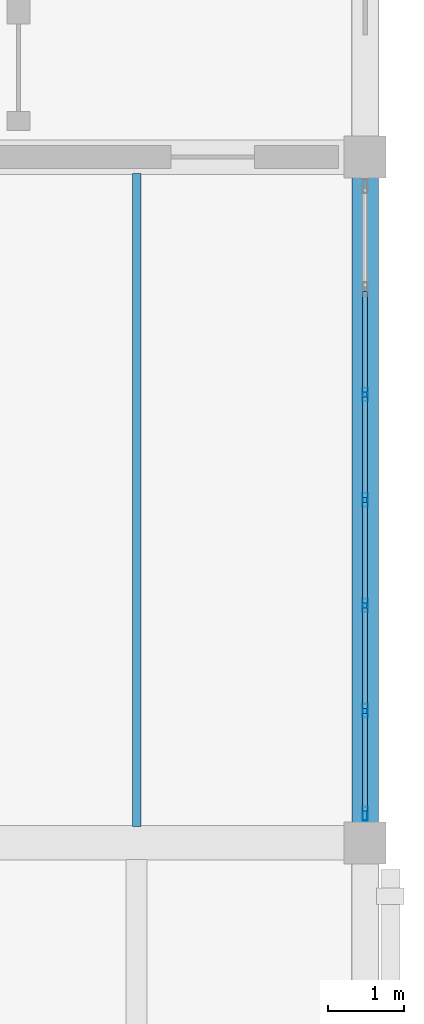
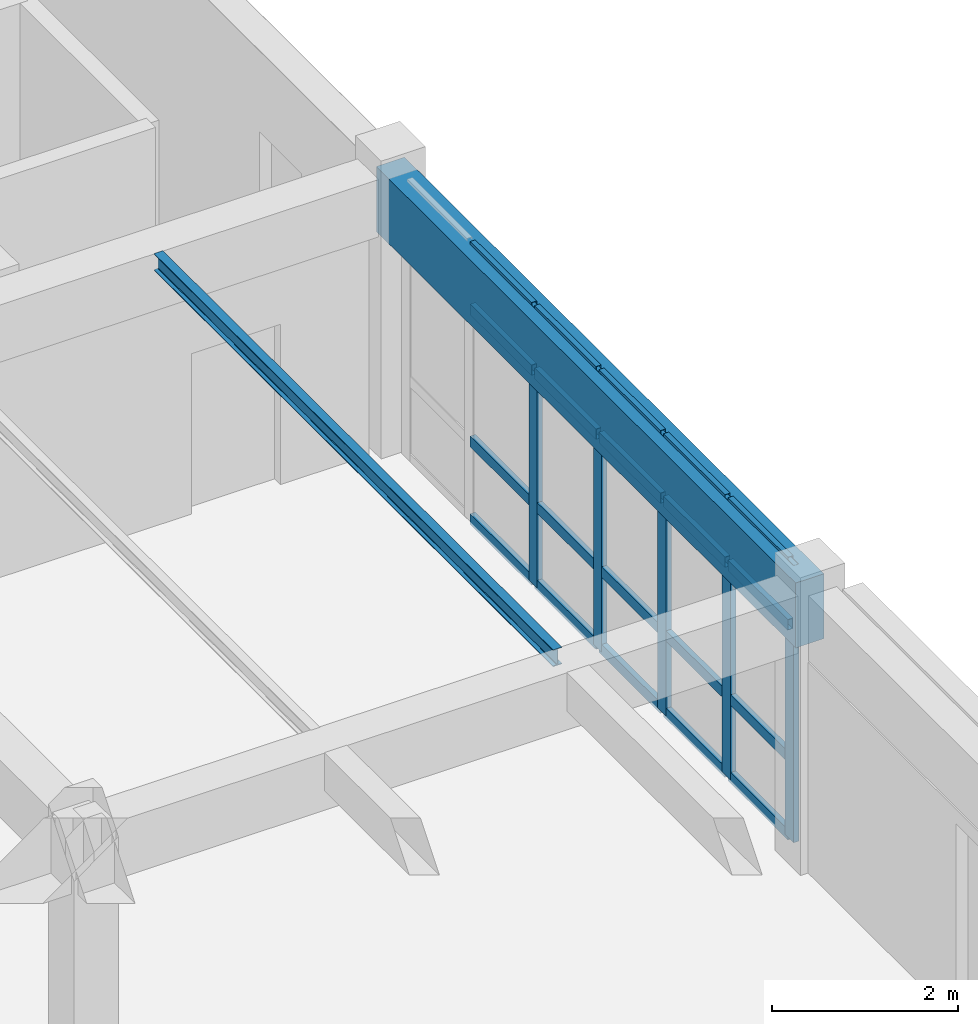
# One storey, part 97 of 156: 25 members, 2 beams, 1 element without a shape of its own.
"""IFC4 building model written with IfcOpenShell, lengths in metres."""

from ifc_helpers import new_model, si_unit, direction, frame, origin, origin_2d, place, context, subcontext, project, spatial, rectangle, hollow_rectangle, i_section, extrude, material, layer, layer_set, material_profile, profile_set, type_object, element, aggregate, save


model = new_model("IFC4")

# Units and contexts
model_context = context("Model", 3, precision=1e-05, world=origin(), true_north=direction((0.0, 1.0)))
body_context = subcontext(model_context, "Body", "Model", "MODEL_VIEW")
ifc_project = project(units=[si_unit("LENGTHUNIT", "METRE"), si_unit("AREAUNIT", "SQUARE_METRE"), si_unit("VOLUMEUNIT", "CUBIC_METRE"), si_unit("PLANEANGLEUNIT", "RADIAN"), si_unit("MASSUNIT", "GRAM", prefix="KILO")], contexts=[model_context])

# Site, building, storey
site_placement = place(None, origin())
site = spatial("IfcSite", under=ifc_project, at=site_placement, CompositionType="ELEMENT")
building_placement = place(site_placement, origin())
building = spatial("IfcBuilding", under=site, at=building_placement, Name="Ornek Quay Market", CompositionType="ELEMENT")
storey_placement = place(building_placement, frame((0.0, 0.0, 4.5)))
storey = spatial("IfcBuildingStorey", under=building, at=storey_placement, Name="L01", CompositionType="ELEMENT", Elevation=4.5)

# Beams
ifc_material_1 = material(Name="Concrete C40/50", Category="concrete")
ifc_material_profile_1 = material_profile(ifc_material_1, rectangle(XDim=0.35009765625, YDim=0.85009765625, at=origin_2d()), Name="RC 350x850", Category="concrete")
ifc_profile_set_1 = profile_set([ifc_material_profile_1], Name="Concrete C40/50")
beam_type_1 = type_object("IfcBeamType", Name="BM-SPN-350x850", PredefinedType="SPANDREL", material=ifc_profile_set_1)
beam_1_placement = place(storey_placement, frame((180.0, 83.0, 3.205078125), z_axis=(0.0, 1.0, 0.0), x_axis=(-1.0, 0.0, 0.0)))
element("IfcBeam", 1, at=beam_1_placement, inside=storey, type_object=beam_type_1, Name="Primary beam B-SP1-114", PredefinedType="SPANDREL", context=body_context, shape_type="SweptSolid", body=[
    extrude(rectangle(XDim=0.35009765625, YDim=0.85009765625, at=origin_2d()), origin(), (0.0, 0.0, 1.0), 9.0),
])
ifc_material_2 = material(Name="Steel S355", Category="steel")
ifc_material_profile_2 = material_profile(ifc_material_2, i_section(OverallWidth=0.110107421875, OverallDepth=0.219970703125, WebThickness=0.005859375, FlangeThickness=0.00927734375, FilletRadius=0.011962890625, at=origin_2d()), Name="IPE 220", Category="steel")
ifc_profile_set_2 = profile_set([ifc_material_profile_2], Name="Steel S355")
beam_type_2 = type_object("IfcBeamType", Name="BM-STL-IPE220", PredefinedType="JOIST", material=ifc_profile_set_2)
beam_2_placement = place(storey_placement, frame((177.0, 83.217041015625, 3.52001953125), z_axis=(0.0, 1.0, 0.0), x_axis=(-1.0, 0.0, 0.0)))
element("IfcBeam", 2, at=beam_2_placement, inside=storey, type_object=beam_type_2, Name="Secondary joist SB-03-039", PredefinedType="JOIST", context=body_context, shape_type="SweptSolid", body=[
    extrude(i_section(OverallWidth=0.110107421875, OverallDepth=0.219970703125, WebThickness=0.005859375, FlangeThickness=0.00927734375, FilletRadius=0.011962890625, at=origin_2d()), origin(), (0.0, 0.0, 1.0), 8.56591796875),
])

# Curtain wall, members
ifc_material_3 = material(Name="Anodised bronze aluminium and triple low-e glass", Category="aluminium")
ifc_layer = layer(ifc_material_3, 0.18994140625, Name="Anodised bronze aluminium and triple low-e glass", Category="aluminium")
ifc_layer_set = layer_set([ifc_layer], Name="Anodised bronze aluminium and triple low-e glass")
curtain_wall_type = type_object("IfcCurtainWallType", Name="CW-FC-MOD1500", PredefinedType="USERDEFINED", material=ifc_layer_set)
curtain_wall_placement = place(storey_placement, origin())
curtain_wall = element("IfcCurtainWall", 3, at=curtain_wall_placement, inside=storey, type_object=curtain_wall_type, Name="Curtain wall CW-086", ObjectType="CURTAIN WALL", PredefinedType="USERDEFINED")
ifc_material_4 = material(Name="Anodised aluminium 6063-T6", Category="aluminium")
ifc_material_profile_3 = material_profile(ifc_material_4, hollow_rectangle(XDim=0.06494140625, YDim=0.179931640625, WallThickness=0.00439453125, at=origin_2d()), Name="CW-MUL-65x180", Category="aluminium")
ifc_profile_set_3 = profile_set([ifc_material_profile_3], Name="Anodised aluminium 6063-T6")
member_type_1 = type_object("IfcMemberType", Name="CW-MUL-65x180", PredefinedType="MULLION", material=ifc_profile_set_3)
member_1_placement = place(storey_placement, frame((180.0, 83.382568359375, 0.0), z_axis=(0.0, 0.0, 1.0), x_axis=(-1.0, 0.0, 0.0)))
member_1 = element("IfcMember", 4, at=member_1_placement, type_object=member_type_1, Name="CW-086 mullion 1", PredefinedType="MULLION", context=body_context, shape_type="SweptSolid", body=[
    extrude(hollow_rectangle(XDim=0.06494140625, YDim=0.179931640625, WallThickness=0.00439453125, at=origin_2d()), origin(), (0.0, 0.0, 1.0), 3.6298828125),
])
member_2_placement = place(storey_placement, frame((180.0, 84.7333984375, 0.0), z_axis=(0.0, 0.0, 1.0), x_axis=(-1.0, 0.0, 0.0)))
member_2 = element("IfcMember", 5, at=member_2_placement, type_object=member_type_1, Name="CW-086 mullion 2", PredefinedType="MULLION", context=body_context, shape_type="SweptSolid", body=[
    extrude(hollow_rectangle(XDim=0.06494140625, YDim=0.179931640625, WallThickness=0.00439453125, at=origin_2d()), origin(), (0.0, 0.0, 1.0), 3.6298828125),
])
member_3_placement = place(storey_placement, frame((180.0, 86.11669921875, 0.0), z_axis=(0.0, 0.0, 1.0), x_axis=(-1.0, 0.0, 0.0)))
member_3 = element("IfcMember", 6, at=member_3_placement, type_object=member_type_1, Name="CW-086 mullion 3", PredefinedType="MULLION", context=body_context, shape_type="SweptSolid", body=[
    extrude(hollow_rectangle(XDim=0.06494140625, YDim=0.179931640625, WallThickness=0.00439453125, at=origin_2d()), origin(), (0.0, 0.0, 1.0), 3.6298828125),
])
member_4_placement = place(storey_placement, frame((180.0, 87.5, 0.0), z_axis=(0.0, 0.0, 1.0), x_axis=(-1.0, 0.0, 0.0)))
member_4 = element("IfcMember", 7, at=member_4_placement, type_object=member_type_1, Name="CW-086 mullion 4", PredefinedType="MULLION", context=body_context, shape_type="SweptSolid", body=[
    extrude(hollow_rectangle(XDim=0.06494140625, YDim=0.179931640625, WallThickness=0.00439453125, at=origin_2d()), origin(), (0.0, 0.0, 1.0), 3.6298828125),
])
member_5_placement = place(storey_placement, frame((180.0, 88.88330078125, 0.0), z_axis=(0.0, 0.0, 1.0), x_axis=(-1.0, 0.0, 0.0)))
member_5 = element("IfcMember", 8, at=member_5_placement, type_object=member_type_1, Name="CW-086 mullion 5", PredefinedType="MULLION", context=body_context, shape_type="SweptSolid", body=[
    extrude(hollow_rectangle(XDim=0.06494140625, YDim=0.179931640625, WallThickness=0.00439453125, at=origin_2d()), origin(), (0.0, 0.0, 1.0), 3.6298828125),
])
ifc_material_profile_4 = material_profile(ifc_material_4, hollow_rectangle(XDim=0.06494140625, YDim=0.139892578125, WallThickness=0.00439453125, at=origin_2d()), Name="CW-TRN-65x140", Category="aluminium")
ifc_profile_set_4 = profile_set([ifc_material_profile_4], Name="Anodised aluminium 6063-T6")
member_type_2 = type_object("IfcMemberType", Name="CW-TRN-65x140", PredefinedType="USERDEFINED", material=ifc_profile_set_4)
member_6_placement = place(storey_placement, frame((180.0, 83.4150390625, 0.032470703125), z_axis=(0.0, 1.0, 0.0), x_axis=(-1.0, 0.0, 0.0)))
member_6 = element("IfcMember", 9, at=member_6_placement, type_object=member_type_2, Name="CW-086 transom 1.1", ObjectType="TRANSOM", PredefinedType="USERDEFINED", context=body_context, shape_type="SweptSolid", body=[
    extrude(hollow_rectangle(XDim=0.06494140625, YDim=0.139892578125, WallThickness=0.00439453125, at=origin_2d()), origin(), (0.0, 0.0, 1.0), 1.285888671875),
])
member_7_placement = place(storey_placement, frame((180.0, 83.4150390625, 1.050048828125), z_axis=(0.0, 1.0, 0.0), x_axis=(-1.0, 0.0, 0.0)))
member_7 = element("IfcMember", 10, at=member_7_placement, type_object=member_type_2, Name="CW-086 transom 1.2", ObjectType="TRANSOM", PredefinedType="USERDEFINED", context=body_context, shape_type="SweptSolid", body=[
    extrude(hollow_rectangle(XDim=0.06494140625, YDim=0.139892578125, WallThickness=0.00439453125, at=origin_2d()), origin(), (0.0, 0.0, 1.0), 1.285888671875),
])
member_8_placement = place(storey_placement, frame((180.0, 83.4150390625, 2.780029296875), z_axis=(0.0, 1.0, 0.0), x_axis=(-1.0, 0.0, 0.0)))
member_8 = element("IfcMember", 11, at=member_8_placement, type_object=member_type_2, Name="CW-086 transom 1.3", ObjectType="TRANSOM", PredefinedType="USERDEFINED", context=body_context, shape_type="SweptSolid", body=[
    extrude(hollow_rectangle(XDim=0.06494140625, YDim=0.139892578125, WallThickness=0.00439453125, at=origin_2d()), origin(), (0.0, 0.0, 1.0), 1.285888671875),
])
member_9_placement = place(storey_placement, frame((180.0, 83.4150390625, 3.597412109375), z_axis=(0.0, 1.0, 0.0), x_axis=(-1.0, 0.0, 0.0)))
member_9 = element("IfcMember", 12, at=member_9_placement, type_object=member_type_2, Name="CW-086 transom 1.4", ObjectType="TRANSOM", PredefinedType="USERDEFINED", context=body_context, shape_type="SweptSolid", body=[
    extrude(hollow_rectangle(XDim=0.06494140625, YDim=0.139892578125, WallThickness=0.00439453125, at=origin_2d()), origin(), (0.0, 0.0, 1.0), 1.285888671875),
])
member_10_placement = place(storey_placement, frame((180.0, 84.765869140625, 0.032470703125), z_axis=(0.0, 1.0, 0.0), x_axis=(-1.0, 0.0, 0.0)))
member_10 = element("IfcMember", 13, at=member_10_placement, type_object=member_type_2, Name="CW-086 transom 2.1", ObjectType="TRANSOM", PredefinedType="USERDEFINED", context=body_context, shape_type="SweptSolid", body=[
    extrude(hollow_rectangle(XDim=0.06494140625, YDim=0.139892578125, WallThickness=0.00439453125, at=origin_2d()), origin(), (0.0, 0.0, 1.0), 1.318359375),
])
member_11_placement = place(storey_placement, frame((180.0, 84.765869140625, 1.050048828125), z_axis=(0.0, 1.0, 0.0), x_axis=(-1.0, 0.0, 0.0)))
member_11 = element("IfcMember", 14, at=member_11_placement, type_object=member_type_2, Name="CW-086 transom 2.2", ObjectType="TRANSOM", PredefinedType="USERDEFINED", context=body_context, shape_type="SweptSolid", body=[
    extrude(hollow_rectangle(XDim=0.06494140625, YDim=0.139892578125, WallThickness=0.00439453125, at=origin_2d()), origin(), (0.0, 0.0, 1.0), 1.318359375),
])
member_12_placement = place(storey_placement, frame((180.0, 84.765869140625, 2.780029296875), z_axis=(0.0, 1.0, 0.0), x_axis=(-1.0, 0.0, 0.0)))
member_12 = element("IfcMember", 15, at=member_12_placement, type_object=member_type_2, Name="CW-086 transom 2.3", ObjectType="TRANSOM", PredefinedType="USERDEFINED", context=body_context, shape_type="SweptSolid", body=[
    extrude(hollow_rectangle(XDim=0.06494140625, YDim=0.139892578125, WallThickness=0.00439453125, at=origin_2d()), origin(), (0.0, 0.0, 1.0), 1.318359375),
])
member_13_placement = place(storey_placement, frame((180.0, 84.765869140625, 3.597412109375), z_axis=(0.0, 1.0, 0.0), x_axis=(-1.0, 0.0, 0.0)))
member_13 = element("IfcMember", 16, at=member_13_placement, type_object=member_type_2, Name="CW-086 transom 2.4", ObjectType="TRANSOM", PredefinedType="USERDEFINED", context=body_context, shape_type="SweptSolid", body=[
    extrude(hollow_rectangle(XDim=0.06494140625, YDim=0.139892578125, WallThickness=0.00439453125, at=origin_2d()), origin(), (0.0, 0.0, 1.0), 1.318359375),
])
member_14_placement = place(storey_placement, frame((180.0, 86.149169921875, 0.032470703125), z_axis=(0.0, 1.0, 0.0), x_axis=(-1.0, 0.0, 0.0)))
member_14 = element("IfcMember", 17, at=member_14_placement, type_object=member_type_2, Name="CW-086 transom 3.1", ObjectType="TRANSOM", PredefinedType="USERDEFINED", context=body_context, shape_type="SweptSolid", body=[
    extrude(hollow_rectangle(XDim=0.06494140625, YDim=0.139892578125, WallThickness=0.00439453125, at=origin_2d()), origin(), (0.0, 0.0, 1.0), 1.318359375),
])
member_15_placement = place(storey_placement, frame((180.0, 86.149169921875, 1.050048828125), z_axis=(0.0, 1.0, 0.0), x_axis=(-1.0, 0.0, 0.0)))
member_15 = element("IfcMember", 18, at=member_15_placement, type_object=member_type_2, Name="CW-086 transom 3.2", ObjectType="TRANSOM", PredefinedType="USERDEFINED", context=body_context, shape_type="SweptSolid", body=[
    extrude(hollow_rectangle(XDim=0.06494140625, YDim=0.139892578125, WallThickness=0.00439453125, at=origin_2d()), origin(), (0.0, 0.0, 1.0), 1.318359375),
])
member_16_placement = place(storey_placement, frame((180.0, 86.149169921875, 2.780029296875), z_axis=(0.0, 1.0, 0.0), x_axis=(-1.0, 0.0, 0.0)))
member_16 = element("IfcMember", 19, at=member_16_placement, type_object=member_type_2, Name="CW-086 transom 3.3", ObjectType="TRANSOM", PredefinedType="USERDEFINED", context=body_context, shape_type="SweptSolid", body=[
    extrude(hollow_rectangle(XDim=0.06494140625, YDim=0.139892578125, WallThickness=0.00439453125, at=origin_2d()), origin(), (0.0, 0.0, 1.0), 1.318359375),
])
member_17_placement = place(storey_placement, frame((180.0, 86.149169921875, 3.597412109375), z_axis=(0.0, 1.0, 0.0), x_axis=(-1.0, 0.0, 0.0)))
member_17 = element("IfcMember", 20, at=member_17_placement, type_object=member_type_2, Name="CW-086 transom 3.4", ObjectType="TRANSOM", PredefinedType="USERDEFINED", context=body_context, shape_type="SweptSolid", body=[
    extrude(hollow_rectangle(XDim=0.06494140625, YDim=0.139892578125, WallThickness=0.00439453125, at=origin_2d()), origin(), (0.0, 0.0, 1.0), 1.318359375),
])
member_18_placement = place(storey_placement, frame((180.0, 87.532470703125, 0.032470703125), z_axis=(0.0, 1.0, 0.0), x_axis=(-1.0, 0.0, 0.0)))
member_18 = element("IfcMember", 21, at=member_18_placement, type_object=member_type_2, Name="CW-086 transom 4.1", ObjectType="TRANSOM", PredefinedType="USERDEFINED", context=body_context, shape_type="SweptSolid", body=[
    extrude(hollow_rectangle(XDim=0.06494140625, YDim=0.139892578125, WallThickness=0.00439453125, at=origin_2d()), origin(), (0.0, 0.0, 1.0), 1.318359375),
])
member_19_placement = place(storey_placement, frame((180.0, 87.532470703125, 1.050048828125), z_axis=(0.0, 1.0, 0.0), x_axis=(-1.0, 0.0, 0.0)))
member_19 = element("IfcMember", 22, at=member_19_placement, type_object=member_type_2, Name="CW-086 transom 4.2", ObjectType="TRANSOM", PredefinedType="USERDEFINED", context=body_context, shape_type="SweptSolid", body=[
    extrude(hollow_rectangle(XDim=0.06494140625, YDim=0.139892578125, WallThickness=0.00439453125, at=origin_2d()), origin(), (0.0, 0.0, 1.0), 1.318359375),
])
member_20_placement = place(storey_placement, frame((180.0, 87.532470703125, 2.780029296875), z_axis=(0.0, 1.0, 0.0), x_axis=(-1.0, 0.0, 0.0)))
member_20 = element("IfcMember", 23, at=member_20_placement, type_object=member_type_2, Name="CW-086 transom 4.3", ObjectType="TRANSOM", PredefinedType="USERDEFINED", context=body_context, shape_type="SweptSolid", body=[
    extrude(hollow_rectangle(XDim=0.06494140625, YDim=0.139892578125, WallThickness=0.00439453125, at=origin_2d()), origin(), (0.0, 0.0, 1.0), 1.318359375),
])
member_21_placement = place(storey_placement, frame((180.0, 87.532470703125, 3.597412109375), z_axis=(0.0, 1.0, 0.0), x_axis=(-1.0, 0.0, 0.0)))
member_21 = element("IfcMember", 24, at=member_21_placement, type_object=member_type_2, Name="CW-086 transom 4.4", ObjectType="TRANSOM", PredefinedType="USERDEFINED", context=body_context, shape_type="SweptSolid", body=[
    extrude(hollow_rectangle(XDim=0.06494140625, YDim=0.139892578125, WallThickness=0.00439453125, at=origin_2d()), origin(), (0.0, 0.0, 1.0), 1.318359375),
])
member_22_placement = place(storey_placement, frame((180.0, 88.915771484375, 0.032470703125), z_axis=(0.0, 1.0, 0.0), x_axis=(-1.0, 0.0, 0.0)))
member_22 = element("IfcMember", 25, at=member_22_placement, type_object=member_type_2, Name="CW-086 transom 5.1", ObjectType="TRANSOM", PredefinedType="USERDEFINED", context=body_context, shape_type="SweptSolid", body=[
    extrude(hollow_rectangle(XDim=0.06494140625, YDim=0.139892578125, WallThickness=0.00439453125, at=origin_2d()), origin(), (0.0, 0.0, 1.0), 1.318359375),
])
member_23_placement = place(storey_placement, frame((180.0, 88.915771484375, 1.050048828125), z_axis=(0.0, 1.0, 0.0), x_axis=(-1.0, 0.0, 0.0)))
member_23 = element("IfcMember", 26, at=member_23_placement, type_object=member_type_2, Name="CW-086 transom 5.2", ObjectType="TRANSOM", PredefinedType="USERDEFINED", context=body_context, shape_type="SweptSolid", body=[
    extrude(hollow_rectangle(XDim=0.06494140625, YDim=0.139892578125, WallThickness=0.00439453125, at=origin_2d()), origin(), (0.0, 0.0, 1.0), 1.318359375),
])
member_24_placement = place(storey_placement, frame((180.0, 88.915771484375, 2.780029296875), z_axis=(0.0, 1.0, 0.0), x_axis=(-1.0, 0.0, 0.0)))
member_24 = element("IfcMember", 27, at=member_24_placement, type_object=member_type_2, Name="CW-086 transom 5.3", ObjectType="TRANSOM", PredefinedType="USERDEFINED", context=body_context, shape_type="SweptSolid", body=[
    extrude(hollow_rectangle(XDim=0.06494140625, YDim=0.139892578125, WallThickness=0.00439453125, at=origin_2d()), origin(), (0.0, 0.0, 1.0), 1.318359375),
])
member_25_placement = place(storey_placement, frame((180.0, 88.915771484375, 3.597412109375), z_axis=(0.0, 1.0, 0.0), x_axis=(-1.0, 0.0, 0.0)))
member_25 = element("IfcMember", 28, at=member_25_placement, type_object=member_type_2, Name="CW-086 transom 5.4", ObjectType="TRANSOM", PredefinedType="USERDEFINED", context=body_context, shape_type="SweptSolid", body=[
    extrude(hollow_rectangle(XDim=0.06494140625, YDim=0.139892578125, WallThickness=0.00439453125, at=origin_2d()), origin(), (0.0, 0.0, 1.0), 1.318359375),
])
aggregate(curtain_wall, [member_1, member_2, member_3, member_4, member_5, member_6, member_7, member_8, member_9, member_10, member_11, member_12, member_13, member_14, member_15, member_16, member_17, member_18, member_19, member_20, member_21, member_22, member_23, member_24, member_25])

save(model, "model.ifc")
